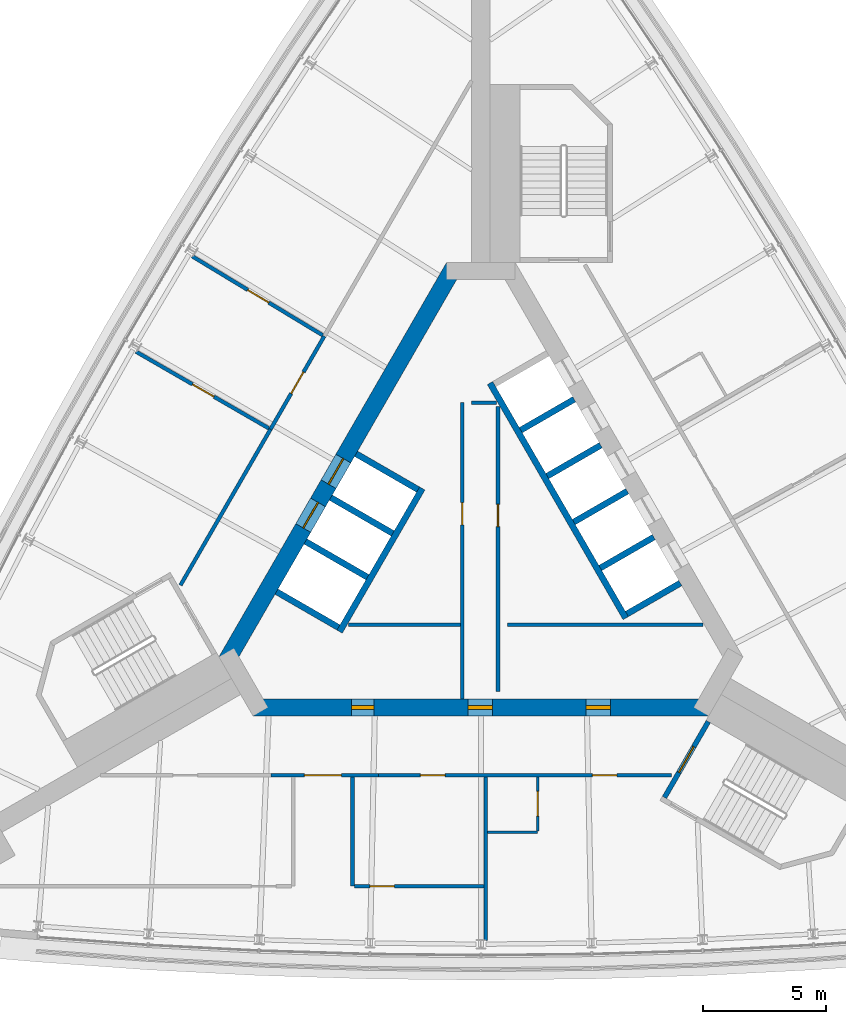
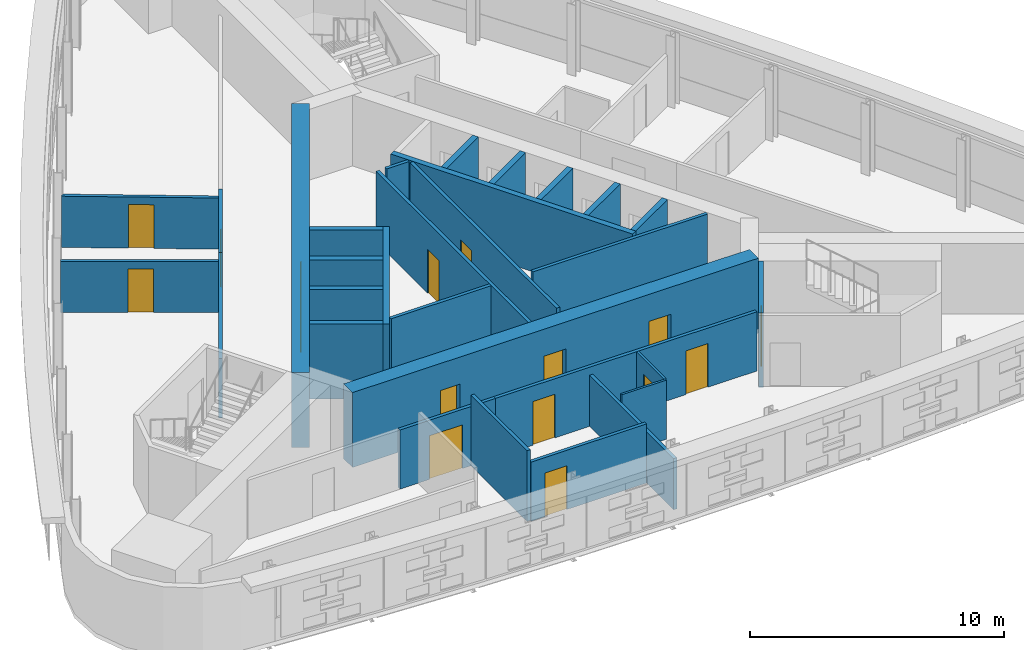
# One storey, part 9 of 13: 30 walls, 16 doors, 16 openings.
"""IFC4 building model written with IfcOpenShell, lengths in metres."""

from ifc_helpers import new_model, si_unit, direction, frame, frame_2d, origin, place, context, subcontext, project, spatial, rectangle, extrude, material, layer, layer_set, type_object, element, fill, save


model = new_model("IFC4")

# Units and contexts
model_context = context("Model", 3, precision=1e-05, world=origin(), true_north=direction((0.0, 1.0)))
body_context = subcontext(model_context, "Body", "Model", "MODEL_VIEW")
ifc_project = project(units=[si_unit("LENGTHUNIT", "METRE"), si_unit("AREAUNIT", "SQUARE_METRE"), si_unit("VOLUMEUNIT", "CUBIC_METRE"), si_unit("PLANEANGLEUNIT", "RADIAN"), si_unit("MASSUNIT", "GRAM", prefix="KILO")], contexts=[model_context])

# Site, building, storey
site_placement = place(None, origin())
site = spatial("IfcSite", under=ifc_project, at=site_placement, CompositionType="ELEMENT")
building_placement = place(site_placement, origin())
building = spatial("IfcBuilding", under=site, at=building_placement, Name="Noor Cloister Tower", CompositionType="ELEMENT")
storey_placement = place(building_placement, frame((0.0, 0.0, 147.300048828125)))
storey = spatial("IfcBuildingStorey", under=building, at=storey_placement, Name="L37", CompositionType="ELEMENT", Elevation=147.300048828125)

# Wall
ifc_material_1 = material(Name="Concrete C30/37", Category="concrete")
ifc_layer_1 = layer(ifc_material_1, 0.14990234375)
ifc_layer_set_1 = layer_set([ifc_layer_1], Name="Core partition 150 C30/37")
wall_type_1 = type_object("IfcWallType", Name="Core partition 150 C30/37", PredefinedType="PARTITIONING", material=ifc_layer_set_1)
wall_1_placement = place(storey_placement, frame((-5.373291015625, -3.228271484375, 0.0), z_axis=(0.0, 0.0, 1.0), x_axis=(1.0, 0.0, 0.0)))
element("IfcWall", 1, at=wall_1_placement, inside=storey, type_object=wall_type_1, Name="Core room partition L37 1", PredefinedType="PARTITIONING", context=body_context, shape_type="SweptSolid", body=[
    extrude(rectangle(XDim=4.544677734375, YDim=0.14990234375, at=frame_2d((2.2724609375, 0.0))), origin(), (0.0, 0.0, 1.0), 3.39990234375),
])

# Wall, opening, door
wall_2_placement = place(storey_placement, frame((-0.753662109375, 5.771728515625, 0.0), z_axis=(0.0, 0.0, 1.0), x_axis=(0.0, -1.0, 0.0)))
wall_2 = element("IfcWall", 2, at=wall_2_placement, inside=storey, type_object=wall_type_1, Name="Core room partition L37 2", PredefinedType="PARTITIONING", context=body_context, shape_type="SweptSolid", body=[
    extrude(rectangle(XDim=12.0, YDim=0.14990234375, at=frame_2d((6.0, 0.0))), origin(), (0.0, 0.0, 1.0), 3.39990234375),
])
opening_1_placement = place(wall_2_placement, frame((4.051025390625, 0.0, 0.0)))
opening_1 = element("IfcOpeningElement", 3, at=opening_1_placement, cuts=wall_2, Name="Opening L37-904", PredefinedType="OPENING", context=body_context, shape_type="SweptSolid", body=[
    extrude(rectangle(XDim=0.89990234375, YDim=2.10009765625, at=frame_2d((0.449951171875, 1.050048828125))), frame((0.0, 0.0849609375, 0.0), z_axis=(0.0, -1.0, 0.0), x_axis=(1.0, 0.0, 0.0)), (0.0, 0.0, 1.0), 0.169921875),
])
ifc_material_2 = material(Name="Steel", Category="steel")
door_type_1 = type_object("IfcDoorType", Name="Core door 900 x 2100 FD120", OperationType="SINGLE_SWING_LEFT", PredefinedType="DOOR", material=ifc_material_2)
door_1_placement = place(opening_1_placement, origin())
door_1 = element("IfcDoor", 4, at=door_1_placement, inside=storey, type_object=door_type_1, Name="Core door 4 L37", OperationType="SINGLE_SWING_RIGHT", OverallHeight=2.10009765625, OverallWidth=0.89990234375, PredefinedType="DOOR", context=body_context, shape_type="SweptSolid", body=[
    extrude(rectangle(XDim=0.89990234375, YDim=2.10009765625, at=frame_2d((0.449951171875, 1.050048828125))), frame((0.0, 0.02490234375, 0.0), z_axis=(0.0, -1.0, 0.0), x_axis=(1.0, 0.0, 0.0)), (0.0, 0.0, 1.0), 0.050048828125),
])
fill(opening_1, door_1)

# Wall
wall_3_placement = place(storey_placement, frame((-0.378662109375, 5.771728515625, 0.0), z_axis=(0.0, 0.0, 1.0), x_axis=(1.0, 0.0, 0.0)))
element("IfcWall", 5, at=wall_3_placement, inside=storey, type_object=wall_type_1, Name="Core room partition L37 3", PredefinedType="PARTITIONING", context=body_context, shape_type="SweptSolid", body=[
    extrude(rectangle(XDim=1.017578125, YDim=0.14990234375, at=frame_2d((0.5087890625, 0.0))), origin(), (0.0, 0.0, 1.0), 3.39990234375),
])

# Wall, opening, door
wall_4_placement = place(storey_placement, frame((0.6962890625, -5.92822265625, 0.0), z_axis=(0.0, 0.0, 1.0), x_axis=(0.0, 1.0, 0.0)))
wall_4 = element("IfcWall", 6, at=wall_4_placement, inside=storey, type_object=wall_type_1, Name="Core room partition L37 4", PredefinedType="PARTITIONING", context=body_context, shape_type="SweptSolid", body=[
    extrude(rectangle(XDim=11.548583984375, YDim=0.14990234375, at=frame_2d((5.7744140625, 0.0))), origin(), (0.0, 0.0, 1.0), 3.39990234375),
])
opening_2_placement = place(wall_4_placement, frame((6.67333984375, 0.0, 0.0)))
opening_2 = element("IfcOpeningElement", 7, at=opening_2_placement, cuts=wall_4, Name="Opening L37-905", PredefinedType="OPENING", context=body_context, shape_type="SweptSolid", body=[
    extrude(rectangle(XDim=0.89990234375, YDim=2.10009765625, at=frame_2d((0.449951171875, 1.050048828125))), frame((0.0, 0.0849609375, 0.0), z_axis=(0.0, -1.0, 0.0), x_axis=(1.0, 0.0, 0.0)), (0.0, 0.0, 1.0), 0.169921875),
])
door_2_placement = place(opening_2_placement, origin())
door_2 = element("IfcDoor", 8, at=door_2_placement, inside=storey, type_object=door_type_1, Name="Core door 5 L37", OperationType="SINGLE_SWING_LEFT", OverallHeight=2.10009765625, OverallWidth=0.89990234375, PredefinedType="DOOR", context=body_context, shape_type="SweptSolid", body=[
    extrude(rectangle(XDim=0.89990234375, YDim=2.10009765625, at=frame_2d((0.449951171875, 1.050048828125))), frame((0.0, 0.02490234375, 0.0), z_axis=(0.0, -1.0, 0.0), x_axis=(1.0, 0.0, 0.0)), (0.0, 0.0, 1.0), 0.050048828125),
])
fill(opening_2, door_2)

# Wall
wall_5_placement = place(storey_placement, frame((1.0712890625, -3.228271484375, 0.0), z_axis=(0.0, 0.0, 1.0), x_axis=(1.0, 0.0, 0.0)))
element("IfcWall", 9, at=wall_5_placement, inside=storey, type_object=wall_type_1, Name="Core room partition L37 5", PredefinedType="PARTITIONING", context=body_context, shape_type="SweptSolid", body=[
    extrude(rectangle(XDim=7.939208984375, YDim=0.14990234375, at=frame_2d((3.9697265625, 0.0))), origin(), (0.0, 0.0, 1.0), 3.39990234375),
])

# Wall, openings, doors
ifc_material_3 = material(Name="Concrete C70/85", Category="concrete")
ifc_layer_2 = layer(ifc_material_3, 0.699951171875)
ifc_layer_set_2 = layer_set([ifc_layer_2], Name="Core wall 700 C70/85")
wall_type_2 = type_object("IfcWallType", Name="Core wall 700 C70/85", PredefinedType="SHEAR", material=ifc_layer_set_2)
wall_6_placement = place(storey_placement, frame((-9.228759765625, -6.578125, -0.199951171875), z_axis=(0.0, 0.0, 1.0), x_axis=(1.0, 0.0, 0.0)))
wall_6 = element("IfcWall", 10, at=wall_6_placement, inside=storey, type_object=wall_type_2, Name="Core wall L37 1", PredefinedType="SHEAR", context=body_context, shape_type="SweptSolid", body=[
    extrude(rectangle(XDim=18.45751953125, YDim=0.699951171875, at=frame_2d((9.228759765625, 0.0))), origin(), (0.0, 0.0, 1.0), 3.599853515625),
])
opening_3_placement = place(wall_6_placement, frame((8.699951171875, 0.0, 0.199951171875)))
opening_3 = element("IfcOpeningElement", 11, at=opening_3_placement, cuts=wall_6, Name="Opening L37-901", PredefinedType="OPENING", context=body_context, shape_type="SweptSolid", body=[
    extrude(rectangle(XDim=1.0, YDim=2.10009765625, at=frame_2d((0.5, 1.050048828125))), frame((0.0, 0.35986328125, 0.0), z_axis=(0.0, -1.0, 0.0), x_axis=(1.0, 0.0, 0.0)), (0.0, 0.0, 1.0), 0.719970703125),
])
opening_4_placement = place(wall_6_placement, frame((3.989501953125, 0.0, 0.199951171875)))
opening_4 = element("IfcOpeningElement", 12, at=opening_4_placement, cuts=wall_6, Name="Opening L37-902", PredefinedType="OPENING", context=body_context, shape_type="SweptSolid", body=[
    extrude(rectangle(XDim=0.89990234375, YDim=2.10009765625, at=frame_2d((0.449951171875, 1.050048828125))), frame((0.0, 0.35986328125, 0.0), z_axis=(0.0, -1.0, 0.0), x_axis=(1.0, 0.0, 0.0)), (0.0, 0.0, 1.0), 0.719970703125),
])
opening_5_placement = place(wall_6_placement, frame((13.489013671875, 0.0, 0.199951171875)))
opening_5 = element("IfcOpeningElement", 13, at=opening_5_placement, cuts=wall_6, Name="Opening L37-903", PredefinedType="OPENING", context=body_context, shape_type="SweptSolid", body=[
    extrude(rectangle(XDim=1.0, YDim=2.10009765625, at=frame_2d((0.5, 1.050048828125))), frame((0.0, 0.35986328125, 0.0), z_axis=(0.0, -1.0, 0.0), x_axis=(1.0, 0.0, 0.0)), (0.0, 0.0, 1.0), 0.719970703125),
])
ifc_material_4 = material(Name="Steel", Category="steel")
door_type_2 = type_object("IfcDoorType", Name="Core door 1000 x 2100 FD120", OperationType="SINGLE_SWING_LEFT", PredefinedType="DOOR", material=ifc_material_4)
door_3_placement = place(opening_3_placement, origin())
door_3 = element("IfcDoor", 14, at=door_3_placement, inside=storey, type_object=door_type_2, Name="Core door 1 L37", OperationType="SINGLE_SWING_LEFT", OverallHeight=2.10009765625, OverallWidth=1.0, PredefinedType="DOOR", context=body_context, shape_type="SweptSolid", body=[
    extrude(rectangle(XDim=1.0, YDim=2.10009765625, at=frame_2d((0.5, 1.050048828125))), frame((0.0, 0.074951171875, 0.0), z_axis=(0.0, -1.0, 0.0), x_axis=(1.0, 0.0, 0.0)), (0.0, 0.0, 1.0), 0.14990234375),
])
fill(opening_3, door_3)
ifc_material_5 = material(Name="Steel", Category="steel")
door_type_3 = type_object("IfcDoorType", Name="Core door 1000 x 2100 FD60", OperationType="SINGLE_SWING_LEFT", PredefinedType="DOOR", material=ifc_material_5)
door_4_placement = place(opening_5_placement, origin())
door_4 = element("IfcDoor", 15, at=door_4_placement, inside=storey, type_object=door_type_3, Name="Core door 3 L37", OperationType="SINGLE_SWING_LEFT", OverallHeight=2.10009765625, OverallWidth=1.0, PredefinedType="DOOR", context=body_context, shape_type="SweptSolid", body=[
    extrude(rectangle(XDim=1.0, YDim=2.10009765625, at=frame_2d((0.5, 1.050048828125))), frame((0.0, 0.074951171875, 0.0), z_axis=(0.0, -1.0, 0.0), x_axis=(1.0, 0.0, 0.0)), (0.0, 0.0, 1.0), 0.14990234375),
])
fill(opening_5, door_4)
door_5_placement = place(opening_4_placement, origin())
door_5 = element("IfcDoor", 16, at=door_5_placement, inside=storey, type_object=door_type_1, Name="Core door 2 L37", OperationType="SINGLE_SWING_RIGHT", OverallHeight=2.10009765625, OverallWidth=0.89990234375, PredefinedType="DOOR", context=body_context, shape_type="SweptSolid", body=[
    extrude(rectangle(XDim=0.89990234375, YDim=2.10009765625, at=frame_2d((0.449951171875, 1.050048828125))), frame((0.0, 0.074951171875, 0.0), z_axis=(0.0, -1.0, 0.0), x_axis=(1.0, 0.0, 0.0)), (0.0, 0.0, 1.0), 0.14990234375),
])
fill(opening_4, door_5)

wall_7_placement = place(storey_placement, frame((-1.08251953125, 11.281494140625, -0.199951171875), z_axis=(0.0, 0.0, 1.0), x_axis=(-0.500001446645, -0.866024568562, 0.0)))
wall_7 = element("IfcWall", 17, at=wall_7_placement, inside=storey, type_object=wall_type_2, Name="Core wall L37 5", PredefinedType="SHEAR", context=body_context, shape_type="SweptSolid", body=[
    extrude(rectangle(XDim=18.45751953125, YDim=0.699951171875, at=frame_2d((9.228759765625, 0.0))), origin(), (0.0, 0.0, 1.0), 3.599853515625),
])
opening_6_placement = place(wall_7_placement, frame((8.978759765625, 0.0, 0.199951171875)))
opening_6 = element("IfcOpeningElement", 18, at=opening_6_placement, cuts=wall_7, Name="Opening L37-FF1", PredefinedType="OPENING", context=body_context, shape_type="SweptSolid", body=[
    extrude(rectangle(XDim=1.199951171875, YDim=2.10009765625, at=frame_2d((0.60009765625, 1.050048828125))), frame((0.0, 0.35986328125, 0.0), z_axis=(0.0, -1.0, 0.0), x_axis=(1.0, 0.0, 0.0)), (0.0, 0.0, 1.0), 0.719970703125),
])
opening_7_placement = place(wall_7_placement, frame((11.02880859375, 0.0, 0.199951171875)))
opening_7 = element("IfcOpeningElement", 19, at=opening_7_placement, cuts=wall_7, Name="Opening L37-FF2", PredefinedType="OPENING", context=body_context, shape_type="SweptSolid", body=[
    extrude(rectangle(XDim=1.199951171875, YDim=2.10009765625, at=frame_2d((0.60009765625, 1.050048828125))), frame((0.0, 0.35986328125, 0.0), z_axis=(0.0, -1.0, 0.0), x_axis=(1.0, 0.0, 0.0)), (0.0, 0.0, 1.0), 0.719970703125),
])
ifc_material_6 = material(Name="Stainless steel", Category="steel")
door_type_4 = type_object("IfcDoorType", Name="Lift landing door 1200 x 2100", OperationType="DOUBLE_DOOR_SLIDING", PredefinedType="DOOR", material=ifc_material_6)
door_6_placement = place(opening_6_placement, origin())
door_6 = element("IfcDoor", 20, at=door_6_placement, inside=storey, type_object=door_type_4, Name="Landing door FF1 L37", OperationType="DOUBLE_DOOR_SLIDING", OverallHeight=2.10009765625, OverallWidth=1.199951171875, PredefinedType="DOOR", context=body_context, shape_type="SweptSolid", body=[
    extrude(rectangle(XDim=1.199951171875, YDim=2.10009765625, at=frame_2d((0.60009765625, 1.050048828125))), frame((0.0, 0.02490234375, 0.0), z_axis=(0.0, -1.0, 0.0), x_axis=(1.0, 0.0, 0.0)), (0.0, 0.0, 1.0), 0.050048828125),
])
fill(opening_6, door_6)
door_7_placement = place(opening_7_placement, origin())
door_7 = element("IfcDoor", 21, at=door_7_placement, inside=storey, type_object=door_type_4, Name="Landing door FF2 L37", OperationType="DOUBLE_DOOR_SLIDING", OverallHeight=2.10009765625, OverallWidth=1.199951171875, PredefinedType="DOOR", context=body_context, shape_type="SweptSolid", body=[
    extrude(rectangle(XDim=1.199951171875, YDim=2.10009765625, at=frame_2d((0.60009765625, 1.050048828125))), frame((0.0, 0.02490234375, 0.0), z_axis=(0.0, -1.0, 0.0), x_axis=(1.0, 0.0, 0.0)), (0.0, 0.0, 1.0), 0.050048828125),
])
fill(opening_7, door_7)

# Wall
ifc_material_7 = material(Name="Fire-rated gypsum board partition on steel studs, 150 mm", Category="steel")
ifc_layer_3 = layer(ifc_material_7, 0.14990234375)
ifc_layer_set_3 = layer_set([ifc_layer_3], Name="Fire lobby wall 150")
wall_type_3 = type_object("IfcWallType", Name="Fire lobby wall 150", PredefinedType="PARTITIONING", material=ifc_layer_set_3)
wall_8_placement = place(storey_placement, frame((-8.52490234375, 4.69091796875, 0.0), z_axis=(0.0, 0.0, 1.0), x_axis=(-0.499986021771, -0.866033473968, 0.0)))
element("IfcWall", 22, at=wall_8_placement, inside=storey, type_object=wall_type_3, Name="Wall L37-W19", PredefinedType="PARTITIONING", context=body_context, shape_type="SweptSolid", body=[
    extrude(rectangle(XDim=7.296630859375, YDim=0.14990234375, at=frame_2d((3.6484375, 0.0))), origin(), (0.0, 0.0, 1.0), 2.846923828125),
])

# Wall, opening, door
wall_9_placement = place(storey_placement, frame((-6.34619140625, 8.46435546875, 0.0), z_axis=(0.0, 0.0, 1.0), x_axis=(-0.50001992892, -0.866013897511, 0.0)))
wall_9 = element("IfcWall", 23, at=wall_9_placement, inside=storey, type_object=wall_type_3, Name="Wall L37-W22", PredefinedType="PARTITIONING", context=body_context, shape_type="SweptSolid", body=[
    extrude(rectangle(XDim=4.357177734375, YDim=0.14990234375, at=frame_2d((2.1787109375, 0.0))), origin(), (0.0, 0.0, 1.0), 2.846923828125),
])
opening_8_placement = place(wall_9_placement, frame((1.678466796875, 0.0, 0.0)))
opening_8 = element("IfcOpeningElement", 24, at=opening_8_placement, cuts=wall_9, Name="Opening L37-012", PredefinedType="OPENING", context=body_context, shape_type="SweptSolid", body=[
    extrude(rectangle(XDim=1.0, YDim=2.10009765625, at=frame_2d((0.5, 1.050048828125))), frame((0.0, 0.0849609375, 0.0), z_axis=(0.0, -1.0, 0.0), x_axis=(1.0, 0.0, 0.0)), (0.0, 0.0, 1.0), 0.169921875),
])
ifc_material_8 = material(Name="Timber door leaf with steel frame", Category="steel")
door_type_5 = type_object("IfcDoorType", Name="Fire lobby door 1000", OperationType="NOTDEFINED", PredefinedType="DOOR", material=ifc_material_8)
door_8_placement = place(opening_8_placement, origin())
door_8 = element("IfcDoor", 25, at=door_8_placement, inside=storey, type_object=door_type_5, Name="Door L37-012", OperationType="SINGLE_SWING_RIGHT", OverallHeight=2.10009765625, OverallWidth=1.0, PredefinedType="DOOR", context=body_context, shape_type="SweptSolid", body=[
    extrude(rectangle(XDim=1.0, YDim=2.10009765625, at=frame_2d((0.5, 1.050048828125))), frame((0.0, 0.02490234375, 0.0), z_axis=(0.0, -1.0, 0.0), x_axis=(1.0, 0.0, 0.0)), (0.0, 0.0, 1.0), 0.050048828125),
])
fill(opening_8, door_8)

# Wall, openings, doors
ifc_material_9 = material(Name="Gypsum board partition on steel studs, 150 mm", Category="steel")
ifc_layer_4 = layer(ifc_material_9, 0.14990234375)
ifc_layer_set_4 = layer_set([ifc_layer_4], Name="Flat wall 150")
wall_type_4 = type_object("IfcWallType", Name="Flat wall 150", PredefinedType="PARTITIONING", material=ifc_layer_set_4)
wall_10_placement = place(storey_placement, frame((-4.14892578125, -9.328125, 0.0), z_axis=(0.0, 0.0, 1.0), x_axis=(1.0, 0.0, 0.0)))
wall_10 = element("IfcWall", 26, at=wall_10_placement, inside=storey, type_object=wall_type_4, Name="Wall L37-W09", PredefinedType="PARTITIONING", context=body_context, shape_type="SweptSolid", body=[
    extrude(rectangle(XDim=11.87646484375, YDim=0.14990234375, at=frame_2d((5.938232421875, 0.0))), origin(), (0.0, 0.0, 1.0), 2.846923828125),
])
opening_9_placement = place(wall_10_placement, frame((1.699462890625, 0.0, 0.0)))
opening_9 = element("IfcOpeningElement", 27, at=opening_9_placement, cuts=wall_10, Name="Opening L37-009", PredefinedType="OPENING", context=body_context, shape_type="SweptSolid", body=[
    extrude(rectangle(XDim=1.0, YDim=2.10009765625, at=frame_2d((0.5, 1.050048828125))), frame((0.0, 0.0849609375, 0.0), z_axis=(0.0, -1.0, 0.0), x_axis=(1.0, 0.0, 0.0)), (0.0, 0.0, 1.0), 0.169921875),
])
opening_10_placement = place(wall_10_placement, frame((8.662841796875, 0.0, 0.0)))
opening_10 = element("IfcOpeningElement", 28, at=opening_10_placement, cuts=wall_10, Name="Opening L37-011", PredefinedType="OPENING", context=body_context, shape_type="SweptSolid", body=[
    extrude(rectangle(XDim=1.0, YDim=2.10009765625, at=frame_2d((0.5, 1.050048828125))), frame((0.0, 0.0849609375, 0.0), z_axis=(0.0, -1.0, 0.0), x_axis=(1.0, 0.0, 0.0)), (0.0, 0.0, 1.0), 0.169921875),
])
ifc_material_10 = material(Name="Timber door leaf with steel frame", Category="steel")
door_type_6 = type_object("IfcDoorType", Name="Flat entrance door 1000", OperationType="NOTDEFINED", PredefinedType="DOOR", material=ifc_material_10)
door_9_placement = place(opening_10_placement, origin())
door_9 = element("IfcDoor", 29, at=door_9_placement, inside=storey, type_object=door_type_6, Name="Door L37-011", OperationType="SINGLE_SWING_LEFT", OverallHeight=2.10009765625, OverallWidth=1.0, PredefinedType="DOOR", context=body_context, shape_type="SweptSolid", body=[
    extrude(rectangle(XDim=1.0, YDim=2.10009765625, at=frame_2d((0.5, 1.050048828125))), frame((0.0, 0.02490234375, 0.0), z_axis=(0.0, -1.0, 0.0), x_axis=(1.0, 0.0, 0.0)), (0.0, 0.0, 1.0), 0.050048828125),
])
fill(opening_10, door_9)
ifc_material_11 = material(Name="Timber door leaf with steel frame", Category="steel")
door_type_7 = type_object("IfcDoorType", Name="Interior door 1000 FD60", OperationType="NOTDEFINED", PredefinedType="DOOR", material=ifc_material_11)
door_10_placement = place(opening_9_placement, origin())
door_10 = element("IfcDoor", 30, at=door_10_placement, inside=storey, type_object=door_type_7, Name="Door L37-009", OperationType="SINGLE_SWING_LEFT", OverallHeight=2.10009765625, OverallWidth=1.0, PredefinedType="DOOR", context=body_context, shape_type="SweptSolid", body=[
    extrude(rectangle(XDim=1.0, YDim=2.10009765625, at=frame_2d((0.5, 1.050048828125))), frame((0.0, 0.02490234375, 0.0), z_axis=(0.0, -1.0, 0.0), x_axis=(1.0, 0.0, 0.0)), (0.0, 0.0, 1.0), 0.050048828125),
])
fill(opening_9, door_10)

# Wall, opening, door
wall_11_placement = place(storey_placement, frame((-8.50146484375, -9.328125, 0.0), z_axis=(0.0, 0.0, 1.0), x_axis=(1.0, 0.0, 0.0)))
wall_11 = element("IfcWall", 31, at=wall_11_placement, inside=storey, type_object=wall_type_4, Name="Wall L37-W10", PredefinedType="PARTITIONING", context=body_context, shape_type="SweptSolid", body=[
    extrude(rectangle(XDim=4.3525390625, YDim=0.14990234375, at=frame_2d((2.17626953125, 0.0))), origin(), (0.0, 0.0, 1.0), 2.846923828125),
])
opening_11_placement = place(wall_11_placement, frame((1.351806640625, 0.0, 0.0)))
opening_11 = element("IfcOpeningElement", 32, at=opening_11_placement, cuts=wall_11, Name="Opening L37-005", PredefinedType="OPENING", context=body_context, shape_type="SweptSolid", body=[
    extrude(rectangle(XDim=1.5, YDim=2.10009765625, at=frame_2d((0.75, 1.050048828125))), frame((0.0, 0.0849609375, 0.0), z_axis=(0.0, -1.0, 0.0), x_axis=(1.0, 0.0, 0.0)), (0.0, 0.0, 1.0), 0.169921875),
])
ifc_material_12 = material(Name="Timber door leaf with steel frame", Category="steel")
door_type_8 = type_object("IfcDoorType", Name="Double door 1500 FD60", OperationType="NOTDEFINED", PredefinedType="DOOR", material=ifc_material_12)
door_11_placement = place(opening_11_placement, origin())
door_11 = element("IfcDoor", 33, at=door_11_placement, inside=storey, type_object=door_type_8, Name="Door L37-005", OperationType="DOUBLE_DOOR_SINGLE_SWING", OverallHeight=2.10009765625, OverallWidth=1.5, PredefinedType="DOOR", context=body_context, shape_type="SweptSolid", body=[
    extrude(rectangle(XDim=1.5, YDim=2.10009765625, at=frame_2d((0.75, 1.050048828125))), frame((0.0, 0.02490234375, 0.0), z_axis=(0.0, -1.0, 0.0), x_axis=(1.0, 0.0, 0.0)), (0.0, 0.0, 1.0), 0.050048828125),
])
fill(opening_11, door_11)

# Walls
wall_12_placement = place(storey_placement, frame((0.199951171875, -16.0205078125, 0.0), z_axis=(0.0, 0.0, 1.0), x_axis=(0.0, 1.0, 0.0)))
element("IfcWall", 34, at=wall_12_placement, inside=storey, type_object=wall_type_4, Name="Wall L37-W11", PredefinedType="PARTITIONING", context=body_context, shape_type="SweptSolid", body=[
    extrude(rectangle(XDim=6.6171875, YDim=0.14990234375, at=frame_2d((3.30859375, 0.0))), origin(), (0.0, 0.0, 1.0), 2.4609375),
])
wall_13_placement = place(storey_placement, frame((-5.19970703125, -9.4033203125, 0.0), z_axis=(0.0, 0.0, 1.0), x_axis=(0.0, -1.0, 0.0)))
element("IfcWall", 35, at=wall_13_placement, inside=storey, type_object=wall_type_4, Name="Wall L37-W13", PredefinedType="PARTITIONING", context=body_context, shape_type="SweptSolid", body=[
    extrude(rectangle(XDim=4.41650390625, YDim=0.14990234375, at=frame_2d((2.208251953125, 0.0))), origin(), (0.0, 0.0, 1.0), 3.39990234375),
])

# Wall, opening, door
wall_14_placement = place(storey_placement, frame((-5.124755859375, -13.81982421875, 0.0), z_axis=(0.0, 0.0, 1.0), x_axis=(1.0, 0.0, 0.0)))
wall_14 = element("IfcWall", 36, at=wall_14_placement, inside=storey, type_object=wall_type_4, Name="Wall L37-W15", PredefinedType="PARTITIONING", context=body_context, shape_type="SweptSolid", body=[
    extrude(rectangle(XDim=5.249755859375, YDim=0.14990234375, at=frame_2d((2.625, 0.0))), origin(), (0.0, 0.0, 1.0), 2.846923828125),
])
opening_12_placement = place(wall_14_placement, frame((0.625, 0.0, 0.0)))
opening_12 = element("IfcOpeningElement", 37, at=opening_12_placement, cuts=wall_14, Name="Opening L37-008", PredefinedType="OPENING", context=body_context, shape_type="SweptSolid", body=[
    extrude(rectangle(XDim=1.0, YDim=2.10009765625, at=frame_2d((0.5, 1.050048828125))), frame((0.0, 0.0849609375, 0.0), z_axis=(0.0, -1.0, 0.0), x_axis=(1.0, 0.0, 0.0)), (0.0, 0.0, 1.0), 0.169921875),
])
door_12_placement = place(opening_12_placement, origin())
door_12 = element("IfcDoor", 38, at=door_12_placement, inside=storey, type_object=door_type_7, Name="Door L37-008", OperationType="SINGLE_SWING_RIGHT", OverallHeight=2.10009765625, OverallWidth=1.0, PredefinedType="DOOR", context=body_context, shape_type="SweptSolid", body=[
    extrude(rectangle(XDim=1.0, YDim=2.10009765625, at=frame_2d((0.5, 1.050048828125))), frame((0.0, 0.02490234375, 0.0), z_axis=(0.0, -1.0, 0.0), x_axis=(1.0, 0.0, 0.0)), (0.0, 0.0, 1.0), 0.050048828125),
])
fill(opening_12, door_12)

wall_15_placement = place(storey_placement, frame((-11.695068359375, 11.700439453125, 0.0), z_axis=(0.0, 0.0, 1.0), x_axis=(0.855596827578, -0.517642800238, 0.0)))
wall_15 = element("IfcWall", 39, at=wall_15_placement, inside=storey, type_object=wall_type_4, Name="Wall L37-W20", PredefinedType="PARTITIONING", context=body_context, shape_type="SweptSolid", body=[
    extrude(rectangle(XDim=6.176513671875, YDim=0.14990234375, at=frame_2d((3.08837890625, 0.0))), origin(), (0.0, 0.0, 1.0), 2.4609375),
])
opening_13_placement = place(wall_15_placement, frame((2.625732421875, 0.0, 0.0)))
opening_13 = element("IfcOpeningElement", 40, at=opening_13_placement, cuts=wall_15, Name="Opening L37-013", PredefinedType="OPENING", context=body_context, shape_type="SweptSolid", body=[
    extrude(rectangle(XDim=1.0, YDim=2.10009765625, at=frame_2d((0.5, 1.050048828125))), frame((0.0, 0.0849609375, 0.0), z_axis=(0.0, -1.0, 0.0), x_axis=(1.0, 0.0, 0.0)), (0.0, 0.0, 1.0), 0.169921875),
])
door_13_placement = place(opening_13_placement, origin())
door_13 = element("IfcDoor", 41, at=door_13_placement, inside=storey, type_object=door_type_7, Name="Door L37-013", OperationType="SINGLE_SWING_LEFT", OverallHeight=2.10009765625, OverallWidth=1.0, PredefinedType="DOOR", context=body_context, shape_type="SweptSolid", body=[
    extrude(rectangle(XDim=1.0, YDim=2.10009765625, at=frame_2d((0.5, 1.050048828125))), frame((0.0, 0.02490234375, 0.0), z_axis=(0.0, -1.0, 0.0), x_axis=(1.0, 0.0, 0.0)), (0.0, 0.0, 1.0), 0.050048828125),
])
fill(opening_13, door_13)

wall_16_placement = place(storey_placement, frame((-13.97412109375, 7.8369140625, 0.0), z_axis=(0.0, 0.0, 1.0), x_axis=(0.866040415161, -0.499973998632, 0.0)))
wall_16 = element("IfcWall", 42, at=wall_16_placement, inside=storey, type_object=wall_type_4, Name="Wall L37-W21", PredefinedType="PARTITIONING", context=body_context, shape_type="SweptSolid", body=[
    extrude(rectangle(XDim=6.217041015625, YDim=0.14990234375, at=frame_2d((3.1083984375, 0.0))), origin(), (0.0, 0.0, 1.0), 2.4609375),
])
opening_14_placement = place(wall_16_placement, frame((2.64599609375, 0.0, 0.0)))
opening_14 = element("IfcOpeningElement", 43, at=opening_14_placement, cuts=wall_16, Name="Opening L37-014", PredefinedType="OPENING", context=body_context, shape_type="SweptSolid", body=[
    extrude(rectangle(XDim=1.0, YDim=2.10009765625, at=frame_2d((0.5, 1.050048828125))), frame((0.0, 0.0849609375, 0.0), z_axis=(0.0, -1.0, 0.0), x_axis=(1.0, 0.0, 0.0)), (0.0, 0.0, 1.0), 0.169921875),
])
door_14_placement = place(opening_14_placement, origin())
door_14 = element("IfcDoor", 44, at=door_14_placement, inside=storey, type_object=door_type_7, Name="Door L37-014", OperationType="SINGLE_SWING_RIGHT", OverallHeight=2.10009765625, OverallWidth=1.0, PredefinedType="DOOR", context=body_context, shape_type="SweptSolid", body=[
    extrude(rectangle(XDim=1.0, YDim=2.10009765625, at=frame_2d((0.5, 1.050048828125))), frame((0.0, 0.02490234375, 0.0), z_axis=(0.0, -1.0, 0.0), x_axis=(1.0, 0.0, 0.0)), (0.0, 0.0, 1.0), 0.050048828125),
])
fill(opening_14, door_14)

# Wall
ifc_material_13 = material(Name="Gypsum board partition on steel studs, 100 mm", Category="steel")
ifc_layer_5 = layer(ifc_material_13, 0.10009765625)
ifc_layer_set_5 = layer_set([ifc_layer_5], Name="Partition 100")
wall_type_5 = type_object("IfcWallType", Name="Partition 100", PredefinedType="PARTITIONING", material=ifc_layer_set_5)
wall_17_placement = place(storey_placement, frame((0.27490234375, -11.628173828125, 0.0), z_axis=(0.0, 0.0, 1.0), x_axis=(1.0, 0.0, 0.0)))
element("IfcWall", 45, at=wall_17_placement, inside=storey, type_object=wall_type_5, Name="Wall L37-W16", PredefinedType="PARTITIONING", context=body_context, shape_type="SweptSolid", body=[
    extrude(rectangle(XDim=2.025146484375, YDim=0.10009765625, at=frame_2d((1.0126953125, 0.0))), origin(), (0.0, 0.0, 1.0), 2.846923828125),
])

# Wall, opening, door
wall_18_placement = place(storey_placement, frame((2.300048828125, -11.578125, 0.0), z_axis=(0.0, 0.0, 1.0), x_axis=(0.0, 1.0, 0.0)))
wall_18 = element("IfcWall", 46, at=wall_18_placement, inside=storey, type_object=wall_type_5, Name="Wall L37-W17", PredefinedType="PARTITIONING", context=body_context, shape_type="SweptSolid", body=[
    extrude(rectangle(XDim=2.1748046875, YDim=0.10009765625, at=frame_2d((1.08740234375, 0.0))), origin(), (0.0, 0.0, 1.0), 2.846923828125),
])
opening_15_placement = place(wall_18_placement, frame((0.60009765625, 0.0, 0.0)))
opening_15 = element("IfcOpeningElement", 47, at=opening_15_placement, cuts=wall_18, Name="Opening L37-010", PredefinedType="OPENING", context=body_context, shape_type="SweptSolid", body=[
    extrude(rectangle(XDim=1.0, YDim=2.10009765625, at=frame_2d((0.5, 1.050048828125))), frame((0.0, 0.06005859375, 0.0), z_axis=(0.0, -1.0, 0.0), x_axis=(1.0, 0.0, 0.0)), (0.0, 0.0, 1.0), 0.1201171875),
])
ifc_material_14 = material(Name="Timber door leaf with steel frame", Category="steel")
door_type_9 = type_object("IfcDoorType", Name="Interior door 1000", OperationType="NOTDEFINED", PredefinedType="DOOR", material=ifc_material_14)
door_15_placement = place(opening_15_placement, origin())
door_15 = element("IfcDoor", 48, at=door_15_placement, inside=storey, type_object=door_type_9, Name="Door L37-010", OperationType="SINGLE_SWING_RIGHT", OverallHeight=2.10009765625, OverallWidth=1.0, PredefinedType="DOOR", context=body_context, shape_type="SweptSolid", body=[
    extrude(rectangle(XDim=1.0, YDim=2.10009765625, at=frame_2d((0.5, 1.050048828125))), frame((0.0, 0.02490234375, 0.0), z_axis=(0.0, -1.0, 0.0), x_axis=(1.0, 0.0, 0.0)), (0.0, 0.0, 1.0), 0.050048828125),
])
fill(opening_15, door_15)

# Walls
ifc_material_15 = material(Name="Concrete C70/85", Category="concrete")
ifc_layer_6 = layer(ifc_material_15, 0.25)
ifc_layer_set_6 = layer_set([ifc_layer_6], Name="Shaft wall 250 C70/85")
wall_type_6 = type_object("IfcWallType", Name="Shaft wall 250 C70/85", PredefinedType="PARTITIONING", material=ifc_layer_set_6)
for number, where, z_axis, x_axis, name in (
    (49, (8.081298828125, -1.540771484375, -0.199951171875), (0.0, 0.0, 1.0), (-0.866022959057, -0.500004234368, 0.0), "Lift shaft wall L37 NE 1"),
    (50, (7.00634765625, 0.3212890625, -0.199951171875), (0.0, 0.0, 1.0), (-0.866022959057, -0.500004234368, 0.0), "Lift shaft wall L37 NE 2"),
):
    element("IfcWall", number, at=place(storey_placement, frame(where, z_axis=z_axis, x_axis=x_axis)), inside=storey, type_object=wall_type_6, Name=name, PredefinedType="PARTITIONING", context=body_context, shape_type="SweptSolid", body=[
        extrude(rectangle(XDim=2.5, YDim=0.25, at=frame_2d((1.25, 0.0))), origin(), (0.0, 0.0, 1.0), 3.599853515625),
    ])
wall_19_placement = place(storey_placement, frame((5.931396484375, 2.18310546875, -0.199951171875), z_axis=(0.0, 0.0, 1.0), x_axis=(-0.866047370643, -0.499961950354, 0.0)))
element("IfcWall", 51, at=wall_19_placement, inside=storey, type_object=wall_type_6, Name="Lift shaft wall L37 NE 3", PredefinedType="PARTITIONING", context=body_context, shape_type="SweptSolid", body=[
    extrude(rectangle(XDim=2.500244140625, YDim=0.25, at=frame_2d((1.25, 0.0))), origin(), (0.0, 0.0, 1.0), 3.599853515625),
])
for number, where, z_axis, x_axis, name in (
    (52, (4.856201171875, 4.045166015625, -0.199951171875), (0.0, 0.0, 1.0), (-0.866022959057, -0.500004234368, 0.0), "Lift shaft wall L37 NE 4"),
    (53, (3.78125, 5.906982421875, -0.199951171875), (0.0, 0.0, 1.0), (-0.866022959057, -0.500004234368, 0.0), "Lift shaft wall L37 NE 5"),
):
    element("IfcWall", number, at=place(storey_placement, frame(where, z_axis=z_axis, x_axis=x_axis)), inside=storey, type_object=wall_type_6, Name=name, PredefinedType="PARTITIONING", context=body_context, shape_type="SweptSolid", body=[
        extrude(rectangle(XDim=2.5, YDim=0.25, at=frame_2d((1.25, 0.0))), origin(), (0.0, 0.0, 1.0), 3.599853515625),
    ])
wall_20_placement = place(storey_placement, frame((5.870361328125, -2.96142578125, 0.0), z_axis=(0.0, 0.0, 1.0), x_axis=(-0.50000615651, 0.866021849293, 0.0)))
element("IfcWall", 54, at=wall_20_placement, inside=storey, type_object=wall_type_6, Name="Lift shaft back wall L37 NE", PredefinedType="PARTITIONING", context=body_context, shape_type="SweptSolid", body=[
    extrude(rectangle(XDim=10.999755859375, YDim=0.25, at=frame_2d((5.5, 0.0))), origin(), (0.0, 0.0, 1.0), 3.39990234375),
])
for number, where, z_axis, x_axis, name in (
    (55, (-5.056396484375, 3.69873046875, -0.199951171875), (0.0, 0.0, 1.0), (0.866032775405, -0.499987231761, 0.0), "Lift shaft wall L37 NW 3"),
    (56, (-6.081298828125, 1.92333984375, -0.199951171875), (0.0, 0.0, 1.0), (0.866032775405, -0.499987231761, 0.0), "Lift shaft wall L37 NW 4"),
    (57, (-7.106201171875, 0.14794921875, -0.199951171875), (0.0, 0.0, 1.0), (0.866032775405, -0.499987231761, 0.0), "Lift shaft wall L37 NW 5"),
    (58, (-8.28125, -1.88720703125, -0.199951171875), (0.0, 0.0, 1.0), (0.866032775405, -0.499987231761, 0.0), "Lift shaft wall L37 NW 6"),
):
    element("IfcWall", number, at=place(storey_placement, frame(where, z_axis=z_axis, x_axis=x_axis)), inside=storey, type_object=wall_type_6, Name=name, PredefinedType="PARTITIONING", context=body_context, shape_type="SweptSolid", body=[
        extrude(rectangle(XDim=2.89990234375, YDim=0.25, at=frame_2d((1.449951171875, 0.0))), origin(), (0.0, 0.0, 1.0), 3.599853515625),
    ])
wall_21_placement = place(storey_placement, frame((-2.3740234375, 2.29443359375, 0.0), z_axis=(0.0, 0.0, 1.0), x_axis=(-0.500003174267, -0.866023571113, 0.0)))
element("IfcWall", 59, at=wall_21_placement, inside=storey, type_object=wall_type_6, Name="Lift shaft back wall L37 NW", PredefinedType="PARTITIONING", context=body_context, shape_type="SweptSolid", body=[
    extrude(rectangle(XDim=6.7001953125, YDim=0.25, at=frame_2d((3.35009765625, 0.0))), origin(), (0.0, 0.0, 1.0), 3.39990234375),
])

# Wall, opening, door
ifc_material_16 = material(Name="Concrete C70/85", Category="concrete")
ifc_layer_7 = layer(ifc_material_16, 0.199951171875)
ifc_layer_set_7 = layer_set([ifc_layer_7], Name="Stair enclosure wall 200 C70/85")
wall_type_7 = type_object("IfcWallType", Name="Stair enclosure wall 200 C70/85", PredefinedType="SHEAR", material=ifc_layer_set_7)
wall_22_placement = place(storey_placement, frame((7.440185546875, -10.225830078125, -0.199951171875), z_axis=(0.0, 0.0, 1.0), x_axis=(0.500022077904, 0.866012656725, 0.0)))
wall_22 = element("IfcWall", 60, at=wall_22_placement, inside=storey, type_object=wall_type_7, Name="Stair enclosure wall ST3 L37 near end", PredefinedType="SHEAR", context=body_context, shape_type="SweptSolid", body=[
    extrude(rectangle(XDim=3.550048828125, YDim=0.199951171875, at=frame_2d((1.77490234375, 0.0))), origin(), (0.0, 0.0, 1.0), 3.599853515625),
])
opening_16_placement = place(wall_22_placement, frame((1.175048828125, 0.0, 0.199951171875)))
opening_16 = element("IfcOpeningElement", 61, at=opening_16_placement, cuts=wall_22, Name="Opening L37-ST3L", PredefinedType="OPENING", context=body_context, shape_type="SweptSolid", body=[
    extrude(rectangle(XDim=1.199951171875, YDim=2.10009765625, at=frame_2d((0.60009765625, 1.050048828125))), frame((0.0, 0.10986328125, 0.0), z_axis=(0.0, -1.0, 0.0), x_axis=(1.0, 0.0, 0.0)), (0.0, 0.0, 1.0), 0.219970703125),
])
ifc_material_17 = material(Name="Steel", Category="steel")
door_type_10 = type_object("IfcDoorType", Name="Stair door 1200 x 2100 FD120", OperationType="SINGLE_SWING_LEFT", PredefinedType="DOOR", material=ifc_material_17)
door_16_placement = place(opening_16_placement, origin())
door_16 = element("IfcDoor", 62, at=door_16_placement, inside=storey, type_object=door_type_10, Name="Stair door ST3 L37", OperationType="SINGLE_SWING_RIGHT", OverallHeight=2.10009765625, OverallWidth=1.199951171875, PredefinedType="DOOR", context=body_context, shape_type="SweptSolid", body=[
    extrude(rectangle(XDim=1.199951171875, YDim=2.10009765625, at=frame_2d((0.60009765625, 1.050048828125))), frame((0.0, 0.02490234375, 0.0), z_axis=(0.0, -1.0, 0.0), x_axis=(1.0, 0.0, 0.0)), (0.0, 0.0, 1.0), 0.050048828125),
])
fill(opening_16, door_16)

save(model, "model.ifc")
